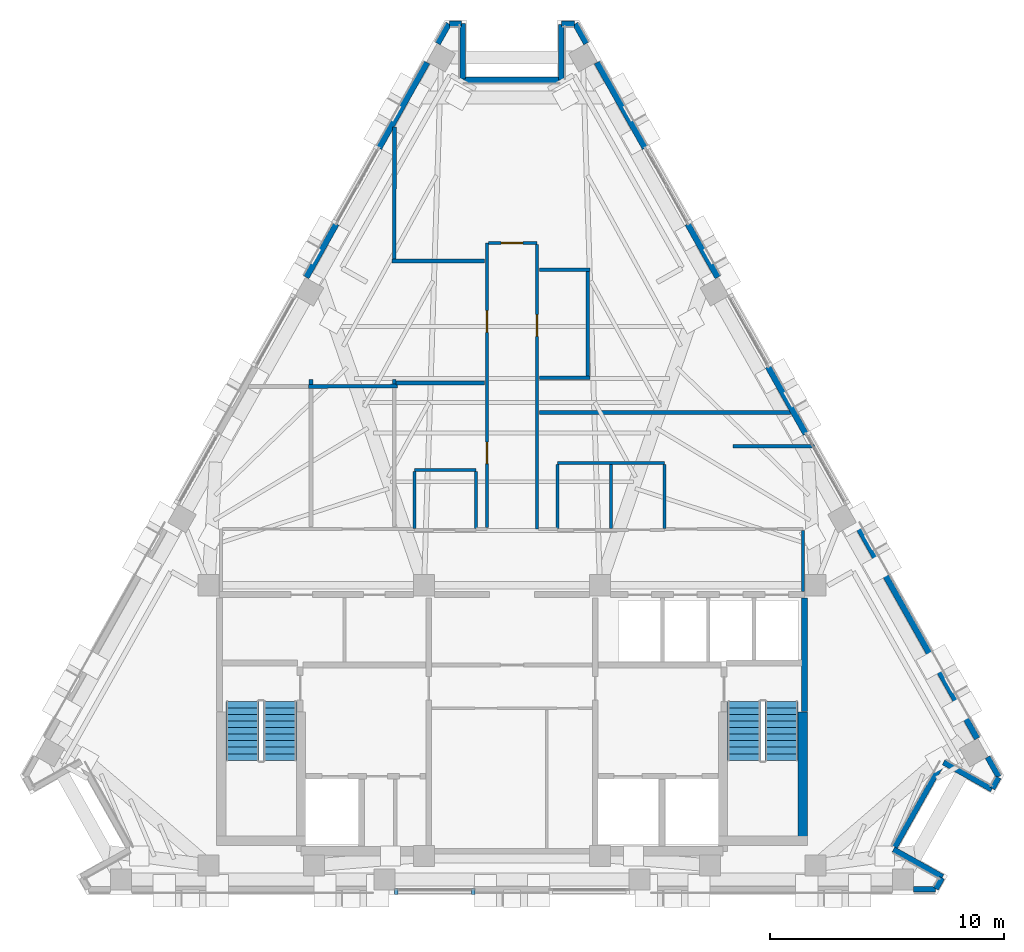
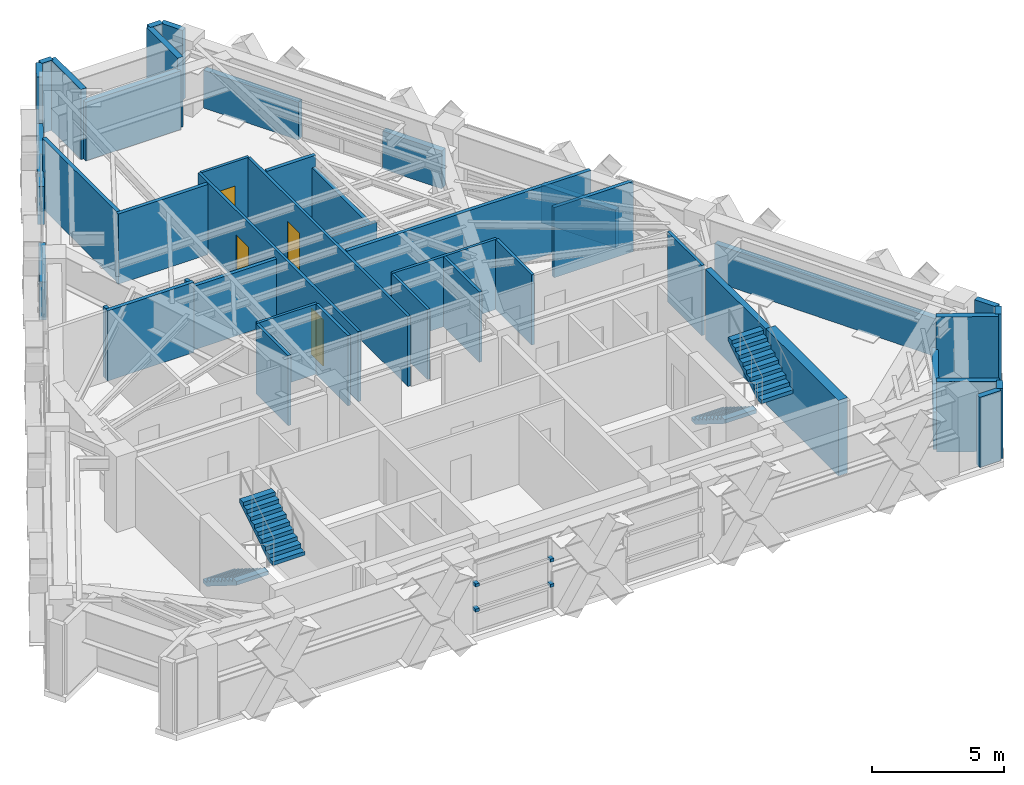
# One storey, part 9 of 13: 44 walls, 4 discrete accessories, 4 doors, 4 stair flights, 4 openings, 2 elements without a shape of their own.
"""IFC4 building model written with IfcOpenShell, lengths in metres."""

from ifc_helpers import new_model, si_unit, direction, frame, frame_2d, origin, origin_2d, place, context, subcontext, project, spatial, polyline, rectangle, outline, extrude, material, layer, layer_set, type_object, element, fill, aggregate, save


model = new_model("IFC4")

# Units and contexts
model_context = context("Model", 3, precision=1e-05, world=origin(), true_north=direction((0.0, 1.0)))
body_context = subcontext(model_context, "Body", "Model", "MODEL_VIEW")
ifc_project = project(units=[si_unit("LENGTHUNIT", "METRE"), si_unit("AREAUNIT", "SQUARE_METRE"), si_unit("VOLUMEUNIT", "CUBIC_METRE"), si_unit("PLANEANGLEUNIT", "RADIAN"), si_unit("MASSUNIT", "GRAM", prefix="KILO")], contexts=[model_context])

# Site, building, storey
site_placement = place(None, origin())
site = spatial("IfcSite", under=ifc_project, at=site_placement, CompositionType="ELEMENT")
building_placement = place(site_placement, origin())
building = spatial("IfcBuilding", under=site, at=building_placement, Name="Quenlor Broadcast Tower", CompositionType="ELEMENT")
storey_placement = place(building_placement, frame((0.0, 0.0, 225.39990234375)))
storey = spatial("IfcBuildingStorey", under=building, at=storey_placement, Name="L62", CompositionType="ELEMENT", Elevation=225.39990234375)

# Walls
ifc_material_1 = material(Name="Concrete C50/60", Category="concrete")
ifc_layer_1 = layer(ifc_material_1, 0.39990234375)
ifc_layer_set_1 = layer_set([ifc_layer_1], Name="Core Concrete C50/60 Shear Wall 400")
wall_type_1 = type_object("IfcWallType", Name="Core Concrete C50/60 Shear Wall 400", PredefinedType="SHEAR", material=ifc_layer_set_1)
wall_1_placement = place(storey_placement, frame((12.39990234375, -15.699951171875, 0.0), z_axis=(0.0, 0.0, 1.0), x_axis=(0.0, 1.0, 0.0)))
element("IfcWall", 1, at=wall_1_placement, inside=storey, type_object=wall_type_1, Name="L62 Core Shear Wall WF-E", PredefinedType="SHEAR", context=body_context, shape_type="SweptSolid", body=[
    extrude(rectangle(XDim=5.5, YDim=0.39990234375, at=frame_2d((2.75, 0.0))), origin(), (0.0, 0.0, 1.0), 3.5),
])
ifc_material_2 = material(Name="Concrete C40/50", Category="concrete")
ifc_layer_2 = layer(ifc_material_2, 0.25)
ifc_layer_set_2 = layer_set([ifc_layer_2], Name="Fire Rated Concrete C40/50 Core Wall 250")
wall_type_2 = type_object("IfcWallType", Name="Fire Rated Concrete C40/50 Core Wall 250", PredefinedType="PARTITIONING", material=ifc_layer_set_2)
wall_2_placement = place(storey_placement, frame((12.47998046875, -10.179931640625, 0.0), z_axis=(0.0, 0.0, 1.0), x_axis=(0.0, 1.0, 0.0)))
element("IfcWall", 2, at=wall_2_placement, inside=storey, type_object=wall_type_2, Name="L62 Interior Wall CW-ST2-E2", PredefinedType="PARTITIONING", context=body_context, shape_type="SweptSolid", body=[
    extrude(rectangle(XDim=4.83984375, YDim=0.25, at=frame_2d((2.419921875, 0.0))), origin(), (0.0, 0.0, 1.0), 3.25),
])
ifc_material_3 = material(Name="Gypsum Fireboard Partition", Category="other")
ifc_layer_3 = layer(ifc_material_3, 0.159912109375)
ifc_layer_set_3 = layer_set([ifc_layer_3], Name="Fire Rated Shaft and Corridor Partition 160")
wall_type_3 = type_object("IfcWallType", Name="Fire Rated Shaft and Corridor Partition 160", PredefinedType="PARTITIONING", material=ifc_layer_set_3)
wall_3_placement = place(storey_placement, frame((-1.179931640625, 9.030029296875, 0.0), z_axis=(0.0, 0.0, 1.0), x_axis=(-1.0, 0.0, 0.0)))
element("IfcWall", 3, at=wall_3_placement, inside=storey, type_object=wall_type_3, Name="L62 Interior Wall PW-DV-01", PredefinedType="PARTITIONING", context=body_context, shape_type="SweptSolid", body=[
    extrude(rectangle(XDim=3.940185546875, YDim=0.159912109375, at=frame_2d((1.97021484375, 0.0))), origin(), (0.0, 0.0, 1.0), 3.25),
])
wall_4_placement = place(storey_placement, frame((-5.02001953125, 9.112060546875, 0.0), z_axis=(0.0, 0.0, 1.0), x_axis=(0.000778782267, 0.999999696749, 0.0)))
element("IfcWall", 4, at=wall_4_placement, inside=storey, type_object=wall_type_3, Name="L62 Interior Wall PW-DV-02", PredefinedType="PARTITIONING", context=body_context, shape_type="SweptSolid", body=[
    extrude(rectangle(XDim=5.642822265625, YDim=0.159912109375, at=frame_2d((2.8212890625, 0.0))), origin(), (0.0, 0.0, 1.0), 3.25),
])
wall_5_placement = place(storey_placement, frame((3.33349609375, 8.659912109375, 0.0), z_axis=(0.0, 0.0, 1.0), x_axis=(-1.0, 0.0, 0.0)))
element("IfcWall", 5, at=wall_5_placement, inside=storey, type_object=wall_type_3, Name="L62 Interior Wall PW-DV-03", PredefinedType="PARTITIONING", context=body_context, shape_type="SweptSolid", body=[
    extrude(rectangle(XDim=2.153564453125, YDim=0.159912109375, at=frame_2d((1.07666015625, 0.0))), origin(), (0.0, 0.0, 1.0), 3.25),
])
wall_6_placement = place(storey_placement, frame((1.179931640625, 4.050048828125, 0.0), z_axis=(0.0, 0.0, 1.0), x_axis=(1.0, 0.0, 0.0)))
element("IfcWall", 6, at=wall_6_placement, inside=storey, type_object=wall_type_3, Name="L62 Interior Wall PW-DV-04", PredefinedType="PARTITIONING", context=body_context, shape_type="SweptSolid", body=[
    extrude(rectangle(XDim=2.150146484375, YDim=0.159912109375, at=frame_2d((1.0751953125, 0.0))), origin(), (0.0, 0.0, 1.0), 2.94287109375),
])
wall_7_placement = place(storey_placement, frame((3.22998046875, 4.132080078125, 0.0), z_axis=(0.0, 0.0, 1.0), x_axis=(0.00082372295, 0.99999966074, 0.0)))
element("IfcWall", 7, at=wall_7_placement, inside=storey, type_object=wall_type_3, Name="L62 Interior Wall PW-DV-05", PredefinedType="PARTITIONING", context=body_context, shape_type="SweptSolid", body=[
    extrude(rectangle(XDim=4.44580078125, YDim=0.159912109375, at=frame_2d((2.222900390625, 0.0))), origin(), (0.0, 0.0, 1.0), 2.721923828125),
])
wall_8_placement = place(storey_placement, frame((11.869873046875, 2.570068359375, 0.0), z_axis=(0.0, 0.0, 1.0), x_axis=(-1.0, 0.0, 0.0)))
element("IfcWall", 8, at=wall_8_placement, inside=storey, type_object=wall_type_3, Name="L62 Interior Wall PW-DV-06", PredefinedType="PARTITIONING", context=body_context, shape_type="SweptSolid", body=[
    extrude(rectangle(XDim=10.68994140625, YDim=0.159912109375, at=frame_2d((5.344970703125, 0.0))), origin(), (0.0, 0.0, 1.0), 3.25),
])
wall_9_placement = place(storey_placement, frame((-1.179931640625, 3.830078125, 0.0), z_axis=(0.0, 0.0, 1.0), x_axis=(-1.0, 0.0, 0.0)))
element("IfcWall", 9, at=wall_9_placement, inside=storey, type_object=wall_type_3, Name="L62 Interior Wall PW-DV-07", PredefinedType="PARTITIONING", context=body_context, shape_type="SweptSolid", body=[
    extrude(rectangle(XDim=3.7646484375, YDim=0.159912109375, at=frame_2d((1.88232421875, 0.0))), origin(), (0.0, 0.0, 1.0), 2.94287109375),
])
wall_10_placement = place(storey_placement, frame((-4.8798828125, 3.69482421875, 0.0), z_axis=(0.0, 0.0, 1.0), x_axis=(-0.999992047368, -0.003988132442, 0.0)))
element("IfcWall", 10, at=wall_10_placement, inside=storey, type_object=wall_type_3, Name="L62 Interior Wall PW-DV-08", PredefinedType="PARTITIONING", context=body_context, shape_type="SweptSolid", body=[
    extrude(rectangle(XDim=3.79541015625, YDim=0.159912109375, at=frame_2d((1.897705078125, 0.0))), origin(), (0.0, 0.0, 1.0), 3.25),
])
wall_11_placement = place(storey_placement, frame((-5.02001953125, 3.7763671875, 0.0), z_axis=(0.0, 0.0, 1.0), x_axis=(0.0, 1.0, 0.0)))
element("IfcWall", 11, at=wall_11_placement, inside=storey, type_object=wall_type_3, Name="L62 Interior Wall PW-DV-10S2", PredefinedType="PARTITIONING", context=body_context, shape_type="SweptSolid", body=[
    extrude(rectangle(XDim=0.193603515625, YDim=0.159912109375, at=frame_2d((0.0966796875, 0.0))), origin(), (0.0, 0.0, 1.0), 3.25),
])
wall_12_placement = place(storey_placement, frame((12.894287109375, 1.1298828125, 0.0), z_axis=(0.0, 0.0, 1.0), x_axis=(-1.0, 0.0, 0.0)))
element("IfcWall", 12, at=wall_12_placement, inside=storey, type_object=wall_type_3, Name="L62 Interior Wall PW-DV-11", PredefinedType="PARTITIONING", context=body_context, shape_type="SweptSolid", body=[
    extrude(rectangle(XDim=3.476318359375, YDim=0.159912109375, at=frame_2d((1.73828125, 0.0))), origin(), (0.0, 0.0, 1.0), 3.25),
])
wall_13_placement = place(storey_placement, frame((-8.5751953125, 3.761962890625, 0.0), z_axis=(0.0, 0.0, 1.0), x_axis=(0.0, 1.0, 0.0)))
element("IfcWall", 13, at=wall_13_placement, inside=storey, type_object=wall_type_3, Name="L62 Interior Wall PW-DV-12S2", PredefinedType="PARTITIONING", context=body_context, shape_type="SweptSolid", body=[
    extrude(rectangle(XDim=0.2080078125, YDim=0.159912109375, at=frame_2d((0.10400390625, 0.0))), origin(), (0.0, 0.0, 1.0), 3.25),
])
ifc_material_4 = material(Name="Gypsum Plasterboard Partition", Category="other")
ifc_layer_4 = layer(ifc_material_4, 0.1201171875)
ifc_layer_set_4 = layer_set([ifc_layer_4], Name="Standard Office Partition 120")
wall_type_4 = type_object("IfcWallType", Name="Standard Office Partition 120", PredefinedType="PARTITIONING", material=ifc_layer_set_4)
wall_14_placement = place(storey_placement, frame((-4.159912109375, 0.110107421875, 0.0), z_axis=(0.0, 0.0, 1.0), x_axis=(1.0, 0.0, 0.0)))
element("IfcWall", 14, at=wall_14_placement, inside=storey, type_object=wall_type_4, Name="L62 Interior Wall PW-AWC-N", PredefinedType="PARTITIONING", context=body_context, shape_type="SweptSolid", body=[
    extrude(rectangle(XDim=2.619873046875, YDim=0.1201171875, at=frame_2d((1.31005859375, 0.0))), origin(), (0.0, 0.0, 1.0), 3.25),
])
for number, where, z_axis, x_axis, name in (
    (15, (-4.159912109375, -2.3779296875, 0.0), (0.0, 0.0, 1.0), (0.0, 1.0, 0.0), "L62 Interior Wall PW-AWC-W"),
    (16, (-1.5400390625, -2.3779296875, 0.0), (0.0, 0.0, 1.0), (0.0, 1.0, 0.0), "L62 Interior Wall PW-AWC-E"),
):
    element("IfcWall", number, at=place(storey_placement, frame(where, z_axis=z_axis, x_axis=x_axis)), inside=storey, type_object=wall_type_4, Name=name, PredefinedType="PARTITIONING", context=body_context, shape_type="SweptSolid", body=[
        extrude(rectangle(XDim=2.426025390625, YDim=0.1201171875, at=frame_2d((1.212890625, 0.0))), origin(), (0.0, 0.0, 1.0), 3.25),
    ])
wall_15_placement = place(storey_placement, frame((1.93994140625, 0.409912109375, 0.0), z_axis=(0.0, 0.0, 1.0), x_axis=(1.0, 0.0, 0.0)))
element("IfcWall", 17, at=wall_15_placement, inside=storey, type_object=wall_type_4, Name="L62 Interior Wall PW-WC-N", PredefinedType="PARTITIONING", context=body_context, shape_type="SweptSolid", body=[
    extrude(rectangle(XDim=4.570068359375, YDim=0.1201171875, at=frame_2d((2.28515625, 0.0))), origin(), (0.0, 0.0, 1.0), 3.25),
])
for number, where, z_axis, x_axis, name in (
    (18, (1.93994140625, -2.3779296875, 0.0), (0.0, 0.0, 1.0), (0.0, 1.0, 0.0), "L62 Interior Wall PW-WC-W"),
    (19, (4.219970703125, -2.3779296875, 0.0), (0.0, 0.0, 1.0), (0.0, 1.0, 0.0), "L62 Interior Wall PW-WC-M"),
    (20, (6.510009765625, -2.3779296875, 0.0), (0.0, 0.0, 1.0), (0.0, 1.0, 0.0), "L62 Interior Wall PW-WC-E"),
):
    element("IfcWall", number, at=place(storey_placement, frame(where, z_axis=z_axis, x_axis=x_axis)), inside=storey, type_object=wall_type_4, Name=name, PredefinedType="PARTITIONING", context=body_context, shape_type="SweptSolid", body=[
        extrude(rectangle(XDim=2.725830078125, YDim=0.1201171875, at=frame_2d((1.36279296875, 0.0))), origin(), (0.0, 0.0, 1.0), 3.25),
    ])

# Wall, openings, doors
wall_16_placement = place(storey_placement, frame((-1.070068359375, -2.337890625, 0.0), z_axis=(0.0, 0.0, 1.0), x_axis=(0.0, 1.0, 0.0)))
wall_16 = element("IfcWall", 21, at=wall_16_placement, inside=storey, type_object=wall_type_4, Name="L62 Interior Wall PW-CR-03", PredefinedType="PARTITIONING", context=body_context, shape_type="SweptSolid", body=[
    extrude(rectangle(XDim=12.137939453125, YDim=0.1201171875, at=frame_2d((6.06884765625, 0.0))), origin(), (0.0, 0.0, 1.0), 3.25),
])
opening_1_placement = place(wall_16_placement, frame((8.327880859375, 0.0, 0.0)))
opening_1 = element("IfcOpeningElement", 22, at=opening_1_placement, cuts=wall_16, Name="Opening ID-1", PredefinedType="OPENING", context=body_context, shape_type="SweptSolid", body=[
    extrude(rectangle(XDim=0.919921875, YDim=2.1201171875, at=frame_2d((0.4599609375, 1.06005859375))), frame((0.0, 0.070068359375, 0.0), z_axis=(0.0, -1.0, 0.0), x_axis=(1.0, 0.0, 0.0)), (0.0, 0.0, 1.0), 0.14013671875),
])
opening_2_placement = place(wall_16_placement, frame((2.721923828125, 0.0, 0.0)))
opening_2 = element("IfcOpeningElement", 23, at=opening_2_placement, cuts=wall_16, Name="Opening ID-1", PredefinedType="OPENING", context=body_context, shape_type="SweptSolid", body=[
    extrude(rectangle(XDim=0.919921875, YDim=2.1201171875, at=frame_2d((0.4599609375, 1.06005859375))), frame((0.0, 0.070068359375, 0.0), z_axis=(0.0, -1.0, 0.0), x_axis=(1.0, 0.0, 0.0)), (0.0, 0.0, 1.0), 0.14013671875),
])
ifc_material_5 = material(Name="Solid Core Timber Oak", Category="wood")
door_type = type_object("IfcDoorType", Name="Single Leaf Timber Office Door 920x2120", OperationType="NOTDEFINED", PredefinedType="DOOR", material=ifc_material_5)
door_1_placement = place(opening_1_placement, origin())
door_1 = element("IfcDoor", 24, at=door_1_placement, inside=storey, type_object=door_type, Name="L62 Door DR-RM02", OperationType="SINGLE_SWING_RIGHT", OverallHeight=2.1201171875, OverallWidth=0.919921875, PredefinedType="DOOR", context=body_context, shape_type="SweptSolid", body=[
    extrude(rectangle(XDim=0.919921875, YDim=2.1201171875, at=frame_2d((0.4599609375, 1.06005859375))), frame((0.0, 0.02490234375, 0.0), z_axis=(0.0, -1.0, 0.0), x_axis=(1.0, 0.0, 0.0)), (0.0, 0.0, 1.0), 0.050048828125),
])
fill(opening_1, door_1)
door_2_placement = place(opening_2_placement, origin())
door_2 = element("IfcDoor", 25, at=door_2_placement, inside=storey, type_object=door_type, Name="L62 Door DR-RM04", OperationType="SINGLE_SWING_RIGHT", OverallHeight=2.1201171875, OverallWidth=0.919921875, PredefinedType="DOOR", context=body_context, shape_type="SweptSolid", body=[
    extrude(rectangle(XDim=0.919921875, YDim=2.1201171875, at=frame_2d((0.4599609375, 1.06005859375))), frame((0.0, 0.02490234375, 0.0), z_axis=(0.0, -1.0, 0.0), x_axis=(1.0, 0.0, 0.0)), (0.0, 0.0, 1.0), 0.050048828125),
])
fill(opening_2, door_2)

# Wall, opening, door
wall_17_placement = place(storey_placement, frame((-1.008056640625, 9.800048828125, 0.0), z_axis=(0.0, 0.0, 1.0), x_axis=(1.0, 0.0, 0.0)))
wall_17 = element("IfcWall", 26, at=wall_17_placement, inside=storey, type_object=wall_type_4, Name="L62 Interior Wall PW-CR-04", PredefinedType="PARTITIONING", context=body_context, shape_type="SweptSolid", body=[
    extrude(rectangle(XDim=2.078125, YDim=0.1201171875, at=frame_2d((1.0390625, 0.0))), origin(), (0.0, 0.0, 1.0), 3.25),
])
opening_3_placement = place(wall_17_placement, frame((0.548095703125, 0.0, 0.0)))
opening_3 = element("IfcOpeningElement", 27, at=opening_3_placement, cuts=wall_17, Name="Opening ID-1", PredefinedType="OPENING", context=body_context, shape_type="SweptSolid", body=[
    extrude(rectangle(XDim=0.919921875, YDim=2.1201171875, at=frame_2d((0.4599609375, 1.06005859375))), frame((0.0, 0.070068359375, 0.0), z_axis=(0.0, -1.0, 0.0), x_axis=(1.0, 0.0, 0.0)), (0.0, 0.0, 1.0), 0.14013671875),
])
door_3_placement = place(opening_3_placement, origin())
door_3 = element("IfcDoor", 28, at=door_3_placement, inside=storey, type_object=door_type, Name="L62 Door DR-RM01", OperationType="SINGLE_SWING_LEFT", OverallHeight=2.1201171875, OverallWidth=0.919921875, PredefinedType="DOOR", context=body_context, shape_type="SweptSolid", body=[
    extrude(rectangle(XDim=0.919921875, YDim=2.1201171875, at=frame_2d((0.4599609375, 1.06005859375))), frame((0.0, 0.02490234375, 0.0), z_axis=(0.0, -1.0, 0.0), x_axis=(1.0, 0.0, 0.0)), (0.0, 0.0, 1.0), 0.050048828125),
])
fill(opening_3, door_3)

wall_18_placement = place(storey_placement, frame((1.070068359375, 9.738037109375, 0.0), z_axis=(0.0, 0.0, 1.0), x_axis=(0.0, -1.0, 0.0)))
wall_18 = element("IfcWall", 29, at=wall_18_placement, inside=storey, type_object=wall_type_4, Name="L62 Interior Wall PW-CR-05", PredefinedType="PARTITIONING", context=body_context, shape_type="SweptSolid", body=[
    extrude(rectangle(XDim=12.137939453125, YDim=0.1201171875, at=frame_2d((6.06884765625, 0.0))), origin(), (0.0, 0.0, 1.0), 3.25),
])
opening_4_placement = place(wall_18_placement, frame((2.998046875, 0.0, 0.0)))
opening_4 = element("IfcOpeningElement", 30, at=opening_4_placement, cuts=wall_18, Name="Opening ID-1", PredefinedType="OPENING", context=body_context, shape_type="SweptSolid", body=[
    extrude(rectangle(XDim=0.919921875, YDim=2.1201171875, at=frame_2d((0.4599609375, 1.06005859375))), frame((0.0, 0.070068359375, 0.0), z_axis=(0.0, -1.0, 0.0), x_axis=(1.0, 0.0, 0.0)), (0.0, 0.0, 1.0), 0.14013671875),
])
door_4_placement = place(opening_4_placement, origin())
door_4 = element("IfcDoor", 31, at=door_4_placement, inside=storey, type_object=door_type, Name="L62 Door DR-RM03", OperationType="SINGLE_SWING_LEFT", OverallHeight=2.1201171875, OverallWidth=0.919921875, PredefinedType="DOOR", context=body_context, shape_type="SweptSolid", body=[
    extrude(rectangle(XDim=0.919921875, YDim=2.1201171875, at=frame_2d((0.4599609375, 1.06005859375))), frame((0.0, 0.02490234375, 0.0), z_axis=(0.0, -1.0, 0.0), x_axis=(1.0, 0.0, 0.0)), (0.0, 0.0, 1.0), 0.050048828125),
])
fill(opening_4, door_4)

# Walls
wall_19_placement = place(storey_placement, frame((12.409912109375, -2.4619140625, 0.0), z_axis=(0.0, 0.0, 1.0), x_axis=(0.0, -1.0, 0.0)))
element("IfcWall", 32, at=wall_19_placement, inside=storey, type_object=wall_type_4, Name="L62 Interior Wall PW-CR-07", PredefinedType="PARTITIONING", context=body_context, shape_type="SweptSolid", body=[
    extrude(rectangle(XDim=2.611083984375, YDim=0.1201171875, at=frame_2d((1.3056640625, 0.0))), origin(), (0.0, 0.0, 1.0), 3.25),
])
ifc_material_6 = material(Name="Precast concrete C40/50", Category="concrete")
ifc_layer_5 = layer(ifc_material_6, 0.239990234375)
ifc_layer_set_5 = layer_set([ifc_layer_5], Name="Terrace Threshold Precast Concrete C40/50 Wall 240")
wall_type_5 = type_object("IfcWallType", Name="Terrace Threshold Precast Concrete C40/50 Wall 240", PredefinedType="STANDARD", material=ifc_layer_set_5)
wall_20_placement = place(storey_placement, frame((18.06591796875, -17.77490234375, 0.0), z_axis=(0.0, 0.0, 1.0), x_axis=(-1.0, 0.0, 0.0)))
element("IfcWall", 33, at=wall_20_placement, inside=storey, type_object=wall_type_5, Name="L62 Exterior Wall L62-SHD-SS0", PredefinedType="STANDARD", context=body_context, shape_type="SweptSolid", body=[
    extrude(rectangle(XDim=0.93505859375, YDim=0.239990234375, at=frame_2d((0.467529296875, 0.0))), origin(), (0.0, 0.0, 1.0), 3.25),
])
for number, where, z_axis, x_axis, name in (
    (34, (2.6953125, 19.1494140625, 0.0), (0.0, 0.0, 1.0), (0.490345412687, -0.87152818443, 0.0), "L62 Exterior Wall L62-SHD-NES0"),
    (35, (20.289794921875, -12.1298828125, 0.0), (0.0, 0.0, 1.0), (0.490345412687, -0.87152818443, 0.0), "L62 Exterior Wall L62-SHD-NES1"),
    (36, (-3.16796875, 18.309326171875, 0.0), (0.0, 0.0, 1.0), (0.490345412687, 0.87152818443, 0.0), "L62 Exterior Wall L62-SHD-NWS1"),
):
    element("IfcWall", number, at=place(storey_placement, frame(where, z_axis=z_axis, x_axis=x_axis)), inside=storey, type_object=wall_type_5, Name=name, PredefinedType="STANDARD", context=body_context, shape_type="SweptSolid", body=[
        extrude(rectangle(XDim=0.9638671875, YDim=0.239990234375, at=frame_2d((0.48193359375, 0.0))), origin(), (0.0, 0.0, 1.0), 3.25),
    ])
wall_21_placement = place(storey_placement, frame((18.365966796875, -17.246826171875, 0.0), z_axis=(0.0, 0.0, 1.0), x_axis=(-0.871597270235, 0.490222600988, 0.0)))
element("IfcWall", 37, at=wall_21_placement, inside=storey, type_object=wall_type_5, Name="L62 Exterior Wall L62-CNR-01", PredefinedType="STANDARD", context=body_context, shape_type="SweptSolid", body=[
    extrude(rectangle(XDim=2.39990234375, YDim=0.239990234375, at=frame_2d((1.199951171875, 0.0))), origin(), (0.0, 0.0, 1.0), 3.25),
])
wall_22_placement = place(storey_placement, frame((16.293701171875, -16.035400390625, 0.0), z_axis=(0.0, 0.0, 1.0), x_axis=(0.49027487746, 0.871567865706, 0.0)))
element("IfcWall", 38, at=wall_22_placement, inside=storey, type_object=wall_type_5, Name="L62 Exterior Wall L62-CNR-02", PredefinedType="STANDARD", context=body_context, shape_type="SweptSolid", body=[
    extrude(rectangle(XDim=4.249755859375, YDim=0.239990234375, at=frame_2d((2.125, 0.0))), origin(), (0.0, 0.0, 1.0), 1.75),
])
wall_23_placement = place(storey_placement, frame((18.412109375, -12.351318359375, 0.0), z_axis=(0.0, 0.0, 1.0), x_axis=(0.871578299909, -0.490256327984, 0.0)))
element("IfcWall", 39, at=wall_23_placement, inside=storey, type_object=wall_type_5, Name="L62 Exterior Wall L62-CNR-03", PredefinedType="STANDARD", context=body_context, shape_type="SweptSolid", body=[
    extrude(rectangle(XDim=2.35986328125, YDim=0.239990234375, at=frame_2d((1.179931640625, 0.0))), origin(), (0.0, 0.0, 1.0), 3.25),
])
wall_24_placement = place(storey_placement, frame((20.48876953125, -13.473388671875, 0.0), z_axis=(0.0, 0.0, 1.0), x_axis=(0.490133374867, 0.87164744871, 0.0)))
element("IfcWall", 40, at=wall_24_placement, inside=storey, type_object=wall_type_5, Name="L62 Exterior Wall L62-CNR-04", PredefinedType="STANDARD", context=body_context, shape_type="SweptSolid", body=[
    extrude(rectangle(XDim=0.5439453125, YDim=0.239990234375, at=frame_2d((0.27197265625, 0.0))), origin(), (0.0, 0.0, 1.0), 3.25),
])
wall_25_placement = place(storey_placement, frame((2.658447265625, 19.152099609375, 0.0), z_axis=(0.0, 0.0, 1.0), x_axis=(-1.0, 0.0, 0.0)))
element("IfcWall", 41, at=wall_25_placement, inside=storey, type_object=wall_type_5, Name="L62 Exterior Wall L62-CNR-06", PredefinedType="STANDARD", context=body_context, shape_type="SweptSolid", body=[
    extrude(rectangle(XDim=0.55224609375, YDim=0.239990234375, at=frame_2d((0.276123046875, 0.0))), origin(), (0.0, 0.0, 1.0), 3.25),
])
wall_26_placement = place(storey_placement, frame((2.106201171875, 19.112060546875, 0.0), z_axis=(0.0, 0.0, 1.0), x_axis=(0.0, -1.0, 0.0)))
element("IfcWall", 42, at=wall_26_placement, inside=storey, type_object=wall_type_5, Name="L62 Exterior Wall L62-CNR-07", PredefinedType="STANDARD", context=body_context, shape_type="SweptSolid", body=[
    extrude(rectangle(XDim=2.360107421875, YDim=0.239990234375, at=frame_2d((1.18017578125, 0.0))), origin(), (0.0, 0.0, 1.0), 3.25),
])
wall_27_placement = place(storey_placement, frame((2.066162109375, 16.751953125, 0.0), z_axis=(0.0, 0.0, 1.0), x_axis=(-1.0, 0.0, 0.0)))
element("IfcWall", 43, at=wall_27_placement, inside=storey, type_object=wall_type_5, Name="L62 Exterior Wall L62-CNR-08", PredefinedType="STANDARD", context=body_context, shape_type="SweptSolid", body=[
    extrude(rectangle(XDim=4.17236328125, YDim=0.239990234375, at=frame_2d((2.086181640625, 0.0))), origin(), (0.0, 0.0, 1.0), 2.717041015625),
])
wall_28_placement = place(storey_placement, frame((-2.106201171875, 16.7919921875, 0.0), z_axis=(0.0, 0.0, 1.0), x_axis=(0.0, 1.0, 0.0)))
element("IfcWall", 44, at=wall_28_placement, inside=storey, type_object=wall_type_5, Name="L62 Exterior Wall L62-CNR-09", PredefinedType="STANDARD", context=body_context, shape_type="SweptSolid", body=[
    extrude(rectangle(XDim=2.360107421875, YDim=0.239990234375, at=frame_2d((1.18017578125, 0.0))), origin(), (0.0, 0.0, 1.0), 3.25),
])
wall_29_placement = place(storey_placement, frame((-2.146240234375, 19.152099609375, 0.0), z_axis=(0.0, 0.0, 1.0), x_axis=(-1.0, 0.0, 0.0)))
element("IfcWall", 45, at=wall_29_placement, inside=storey, type_object=wall_type_5, Name="L62 Exterior Wall L62-CNR-10", PredefinedType="STANDARD", context=body_context, shape_type="SweptSolid", body=[
    extrude(rectangle(XDim=0.51220703125, YDim=0.239990234375, at=frame_2d((0.256103515625, 0.0))), origin(), (0.0, 0.0, 1.0), 3.25),
])
wall_30_placement = place(storey_placement, frame((18.081298828125, -17.752685546875, 0.0), z_axis=(0.0, 0.0, 1.0), x_axis=(0.490582915772, 0.871394516136, 0.0)))
element("IfcWall", 46, at=wall_30_placement, inside=storey, type_object=wall_type_5, Name="L62 Exterior Wall L62-CNR-18", PredefinedType="STANDARD", context=body_context, shape_type="SweptSolid", body=[
    extrude(rectangle(XDim=0.54052734375, YDim=0.239990234375, at=frame_2d((0.270263671875, 0.0))), origin(), (0.0, 0.0, 1.0), 3.25),
])
ifc_material_7 = material(Name="Precast concrete C40/50", Category="concrete")
ifc_layer_6 = layer(ifc_material_7, 0.260009765625)
ifc_layer_set_6 = layer_set([ifc_layer_6], Name="Terracotta Precast Concrete C40/50 Upper Wall 260")
wall_type_6 = type_object("IfcWallType", Name="Terracotta Precast Concrete C40/50 Upper Wall 260", PredefinedType="STANDARD", material=ifc_layer_set_6)
wall_31_placement = place(storey_placement, frame((3.623779296875, 17.498779296875, 0.0), z_axis=(0.0, 0.0, 1.0), x_axis=(0.490275081837, -0.87156775074, 0.0)))
element("IfcWall", 47, at=wall_31_placement, inside=storey, type_object=wall_type_6, Name="L62 Exterior Wall L62-NEA-SP1", PredefinedType="STANDARD", context=body_context, shape_type="SweptSolid", body=[
    extrude(rectangle(XDim=4.18701171875, YDim=0.260009765625, at=frame_2d((2.093505859375, 0.0))), origin(), (0.0, 0.0, 1.0), 1.75),
])
wall_32_placement = place(storey_placement, frame((7.493896484375, 10.618408203125, 0.0), z_axis=(0.0, 0.0, 1.0), x_axis=(0.490301099378, -0.871553114818, 0.0)))
element("IfcWall", 48, at=wall_32_placement, inside=storey, type_object=wall_type_6, Name="L62 Exterior Wall L62-NEA-SP2", PredefinedType="STANDARD", context=body_context, shape_type="SweptSolid", body=[
    extrude(rectangle(XDim=2.6171875, YDim=0.260009765625, at=frame_2d((1.30859375, 0.0))), origin(), (0.0, 0.0, 1.0), 1.75),
])
wall_33_placement = place(storey_placement, frame((14.6708984375, -2.140380859375, 0.0), z_axis=(0.0, 0.0, 1.0), x_axis=(0.490246958575, -0.871583570066, 0.0)))
element("IfcWall", 49, at=wall_33_placement, inside=storey, type_object=wall_type_6, Name="L62 Exterior Wall L62-EW-NEC", PredefinedType="STANDARD", context=body_context, shape_type="SweptSolid", body=[
    extrude(rectangle(XDim=10.551513671875, YDim=0.260009765625, at=frame_2d((5.27587890625, 0.0))), origin(), (0.0, 0.0, 1.0), 1.75),
])
wall_34_placement = place(storey_placement, frame((10.923095703125, 4.522216796875, 0.0), z_axis=(0.0, 0.0, 1.0), x_axis=(0.490264765862, -0.871573553611, 0.0)))
element("IfcWall", 50, at=wall_34_placement, inside=storey, type_object=wall_type_6, Name="L62 Exterior Wall L62-NE-SP1", PredefinedType="STANDARD", context=body_context, shape_type="SweptSolid", body=[
    extrude(rectangle(XDim=3.287109375, YDim=0.260009765625, at=frame_2d((1.6435546875, 0.0))), origin(), (0.0, 0.0, 1.0), 1.75),
])
wall_35_placement = place(storey_placement, frame((-8.777099609375, 8.33740234375, 0.0), z_axis=(0.0, 0.0, 1.0), x_axis=(0.490301099378, 0.871553114818, 0.0)))
element("IfcWall", 51, at=wall_35_placement, inside=storey, type_object=wall_type_6, Name="L62 Exterior Wall L62-NWC-SP1", PredefinedType="STANDARD", context=body_context, shape_type="SweptSolid", body=[
    extrude(rectangle(XDim=2.6171875, YDim=0.260009765625, at=frame_2d((1.30859375, 0.0))), origin(), (0.0, 0.0, 1.0), 1.75),
])
wall_36_placement = place(storey_placement, frame((-5.676513671875, 13.849609375, 0.0), z_axis=(0.0, 0.0, 1.0), x_axis=(0.490275081837, 0.87156775074, 0.0)))
element("IfcWall", 52, at=wall_36_placement, inside=storey, type_object=wall_type_6, Name="L62 Exterior Wall L62-NWC-SP2", PredefinedType="STANDARD", context=body_context, shape_type="SweptSolid", body=[
    extrude(rectangle(XDim=4.18701171875, YDim=0.260009765625, at=frame_2d((2.093505859375, 0.0))), origin(), (0.0, 0.0, 1.0), 1.75),
])

# Stair, stair flights
ifc_material_8 = material(Name="Precast concrete C40/50", Category="concrete")
stair_type = type_object("IfcStairType", Name="Precast Concrete C40/50 Dogleg Stair H350", PredefinedType="HALF_TURN_STAIR", material=ifc_material_8)
stair_1_placement = place(storey_placement, origin())
stair_1 = element("IfcStair", 53, at=stair_1_placement, inside=storey, type_object=stair_type, Name="L62 West Core Fire-Isolated Exit Stair ST-1", PredefinedType="HALF_TURN_STAIR")
ifc_material_9 = material(Name="Precast concrete C40/50", Category="concrete")
ifc_layer_7 = layer(ifc_material_9, 0.159912109375)
ifc_layer_set_7 = layer_set([ifc_layer_7], Name="Precast Concrete C40/50 Stair Flight H350")
stair_flight_type = type_object("IfcStairFlightType", Name="Precast Concrete C40/50 Stair Flight H350", PredefinedType="STRAIGHT", material=ifc_layer_set_7)
stair_flight_1_placement = place(storey_placement, frame((-11.5, -9.75, 0.0), z_axis=(0.0, 0.0, 1.0), x_axis=(0.0, -1.0, 0.0)))
stair_flight_1 = element("IfcStairFlight", 54, at=stair_flight_1_placement, type_object=stair_flight_type, Name="ST-1 flight 1", NumberOfRisers=10, NumberOfTreads=9, PredefinedType="STRAIGHT", RiserHeight=0.175, TreadLength=0.28, context=body_context, shape_type="SweptSolid", body=[
    extrude(outline(polyline([(0.0, 0.0), (0.0, 0.175048828125), (0.280029296875, 0.175048828125), (0.280029296875, 0.35009765625), (0.56005859375, 0.35009765625), (0.56005859375, 0.52490234375), (0.840087890625, 0.52490234375), (0.840087890625, 0.699951171875), (1.1201171875, 0.699951171875), (1.1201171875, 0.875), (1.39990234375, 0.875), (1.39990234375, 1.050048828125), (1.679931640625, 1.050048828125), (1.679931640625, 1.22509765625), (1.9599609375, 1.22509765625), (1.9599609375, 1.39990234375), (2.239990234375, 1.39990234375), (2.239990234375, 1.574951171875), (2.52001953125, 1.574951171875), (2.52001953125, 1.75), (2.52001953125, 1.398193359375), (0.28271484375, 0.0), (0.0, 0.0)])), frame((0.0, 0.699951171875, 0.0), z_axis=(0.0, -1.0, 0.0), x_axis=(1.0, 0.0, 0.0)), (0.0, 0.0, 1.0), 1.39990234375),
])
stair_flight_2_placement = place(storey_placement, frame((-9.89990234375, -12.27001953125, 1.75), z_axis=(0.0, 0.0, 1.0), x_axis=(0.0, 1.0, 0.0)))
stair_flight_2 = element("IfcStairFlight", 55, at=stair_flight_2_placement, type_object=stair_flight_type, Name="ST-1 flight 2", NumberOfRisers=10, NumberOfTreads=9, PredefinedType="STRAIGHT", RiserHeight=0.175, TreadLength=0.28, context=body_context, shape_type="SweptSolid", body=[
    extrude(outline(polyline([(0.0, 0.0), (0.0, 0.175048828125), (0.280029296875, 0.175048828125), (0.280029296875, 0.35009765625), (0.56005859375, 0.35009765625), (0.56005859375, 0.52490234375), (0.840087890625, 0.52490234375), (0.840087890625, 0.699951171875), (1.1201171875, 0.699951171875), (1.1201171875, 0.875), (1.39990234375, 0.875), (1.39990234375, 1.050048828125), (1.679931640625, 1.050048828125), (1.679931640625, 1.22509765625), (1.9599609375, 1.22509765625), (1.9599609375, 1.39990234375), (2.239990234375, 1.39990234375), (2.239990234375, 1.574951171875), (2.52001953125, 1.574951171875), (2.52001953125, 1.75), (2.52001953125, 1.398193359375), (0.28271484375, 0.0), (0.0, 0.0)])), frame((0.0, 0.699951171875, 0.0), z_axis=(0.0, -1.0, 0.0), x_axis=(1.0, 0.0, 0.0)), (0.0, 0.0, 1.0), 1.39990234375),
])
aggregate(stair_1, [stair_flight_1, stair_flight_2])

stair_2_placement = place(storey_placement, origin())
stair_2 = element("IfcStair", 56, at=stair_2_placement, inside=storey, type_object=stair_type, Name="L62 East Core Fire-Isolated Exit Stair ST-2", PredefinedType="HALF_TURN_STAIR")
stair_flight_3_placement = place(storey_placement, frame((9.89990234375, -9.75, 0.0), z_axis=(0.0, 0.0, 1.0), x_axis=(0.0, -1.0, 0.0)))
stair_flight_3 = element("IfcStairFlight", 57, at=stair_flight_3_placement, type_object=stair_flight_type, Name="ST-2 flight 1", NumberOfRisers=10, NumberOfTreads=9, PredefinedType="STRAIGHT", RiserHeight=0.175, TreadLength=0.28, context=body_context, shape_type="SweptSolid", body=[
    extrude(outline(polyline([(0.0, 0.0), (0.0, 0.175048828125), (0.280029296875, 0.175048828125), (0.280029296875, 0.35009765625), (0.56005859375, 0.35009765625), (0.56005859375, 0.52490234375), (0.840087890625, 0.52490234375), (0.840087890625, 0.699951171875), (1.1201171875, 0.699951171875), (1.1201171875, 0.875), (1.39990234375, 0.875), (1.39990234375, 1.050048828125), (1.679931640625, 1.050048828125), (1.679931640625, 1.22509765625), (1.9599609375, 1.22509765625), (1.9599609375, 1.39990234375), (2.239990234375, 1.39990234375), (2.239990234375, 1.574951171875), (2.52001953125, 1.574951171875), (2.52001953125, 1.75), (2.52001953125, 1.398193359375), (0.28271484375, 0.0), (0.0, 0.0)])), frame((0.0, 0.699951171875, 0.0), z_axis=(0.0, -1.0, 0.0), x_axis=(1.0, 0.0, 0.0)), (0.0, 0.0, 1.0), 1.39990234375),
])
stair_flight_4_placement = place(storey_placement, frame((11.5, -12.27001953125, 1.75), z_axis=(0.0, 0.0, 1.0), x_axis=(0.0, 1.0, 0.0)))
stair_flight_4 = element("IfcStairFlight", 58, at=stair_flight_4_placement, type_object=stair_flight_type, Name="ST-2 flight 2", NumberOfRisers=10, NumberOfTreads=9, PredefinedType="STRAIGHT", RiserHeight=0.175, TreadLength=0.28, context=body_context, shape_type="SweptSolid", body=[
    extrude(outline(polyline([(0.0, 0.0), (0.0, 0.175048828125), (0.280029296875, 0.175048828125), (0.280029296875, 0.35009765625), (0.56005859375, 0.35009765625), (0.56005859375, 0.52490234375), (0.840087890625, 0.52490234375), (0.840087890625, 0.699951171875), (1.1201171875, 0.699951171875), (1.1201171875, 0.875), (1.39990234375, 0.875), (1.39990234375, 1.050048828125), (1.679931640625, 1.050048828125), (1.679931640625, 1.22509765625), (1.9599609375, 1.22509765625), (1.9599609375, 1.39990234375), (2.239990234375, 1.39990234375), (2.239990234375, 1.574951171875), (2.52001953125, 1.574951171875), (2.52001953125, 1.75), (2.52001953125, 1.398193359375), (0.28271484375, 0.0), (0.0, 0.0)])), frame((0.0, 0.699951171875, 0.0), z_axis=(0.0, -1.0, 0.0), x_axis=(1.0, 0.0, 0.0)), (0.0, 0.0, 1.0), 1.39990234375),
])
aggregate(stair_2, [stair_flight_3, stair_flight_4])

# Discrete accessories
ifc_material_10 = material(Name="Aluminium 6063-T6", Category="aluminium")
discrete_accessory_type = type_object("IfcDiscreteAccessoryType", Name="Stainless Mullion Baguette Support Bracket", PredefinedType="BRACKET", material=ifc_material_10)
for number, where, z_axis, x_axis, name in (
    (59, (-1.655029296875, -17.864990234375, 1.10009765625), (0.0, 0.0, 1.0), (-1.0, 0.0, 0.0), "L62 Baguette Mullion Bracket 1.1"),
    (60, (-4.933837890625, -17.864990234375, 1.10009765625), (0.0, 0.0, 1.0), (-1.0, 0.0, 0.0), "L62 Baguette Mullion Bracket 1.2"),
    (61, (-1.655029296875, -17.864990234375, 2.27001953125), (0.0, 0.0, 1.0), (-1.0, 0.0, 0.0), "L62 Baguette Mullion Bracket 2.1"),
    (62, (-4.933837890625, -17.864990234375, 2.27001953125), (0.0, 0.0, 1.0), (-1.0, 0.0, 0.0), "L62 Baguette Mullion Bracket 2.2"),
):
    element("IfcDiscreteAccessory", number, at=place(storey_placement, frame(where, z_axis=z_axis, x_axis=x_axis)), inside=storey, type_object=discrete_accessory_type, Name=name, PredefinedType="BRACKET", context=body_context, shape_type="SweptSolid", body=[
        extrude(rectangle(XDim=0.159912109375, YDim=0.239990234375, at=origin_2d()), origin(), (0.0, 0.0, 1.0), 0.139892578125),
    ])

save(model, "model.ifc")
